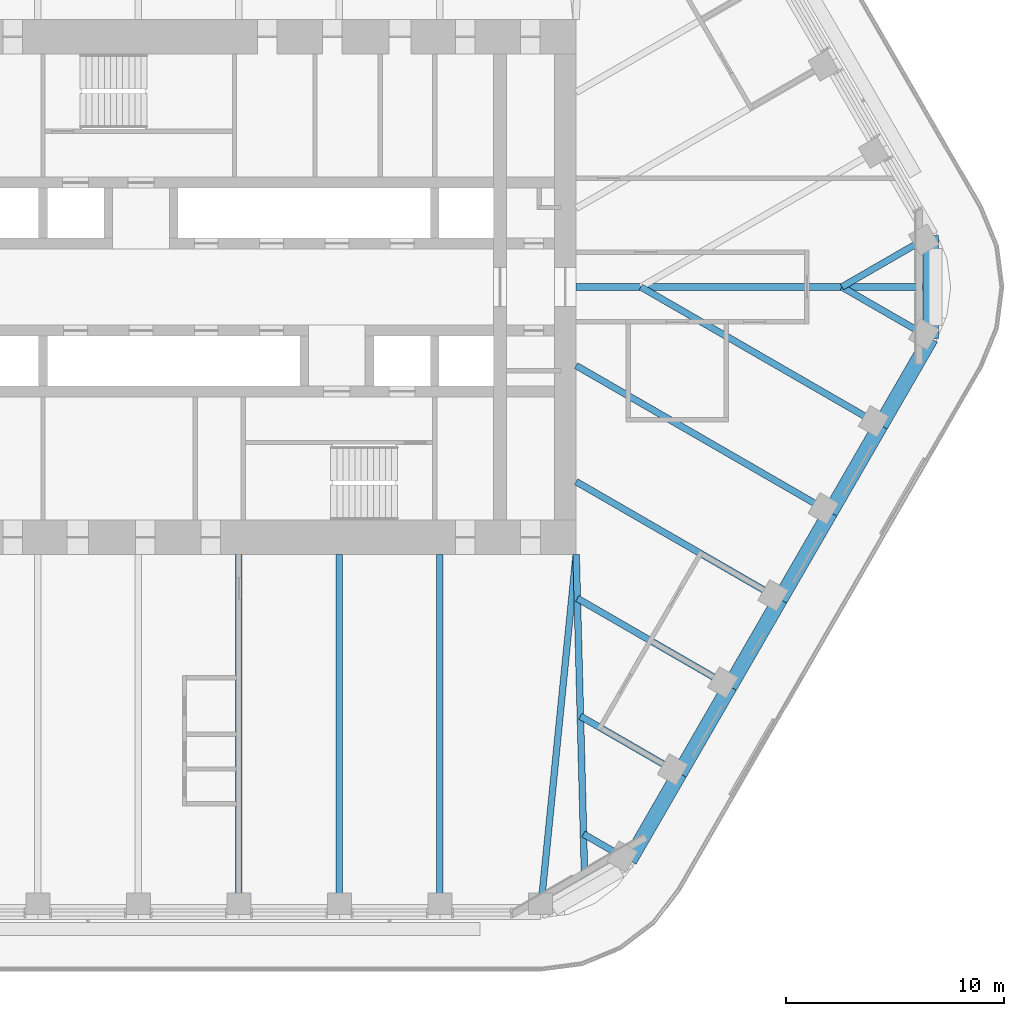
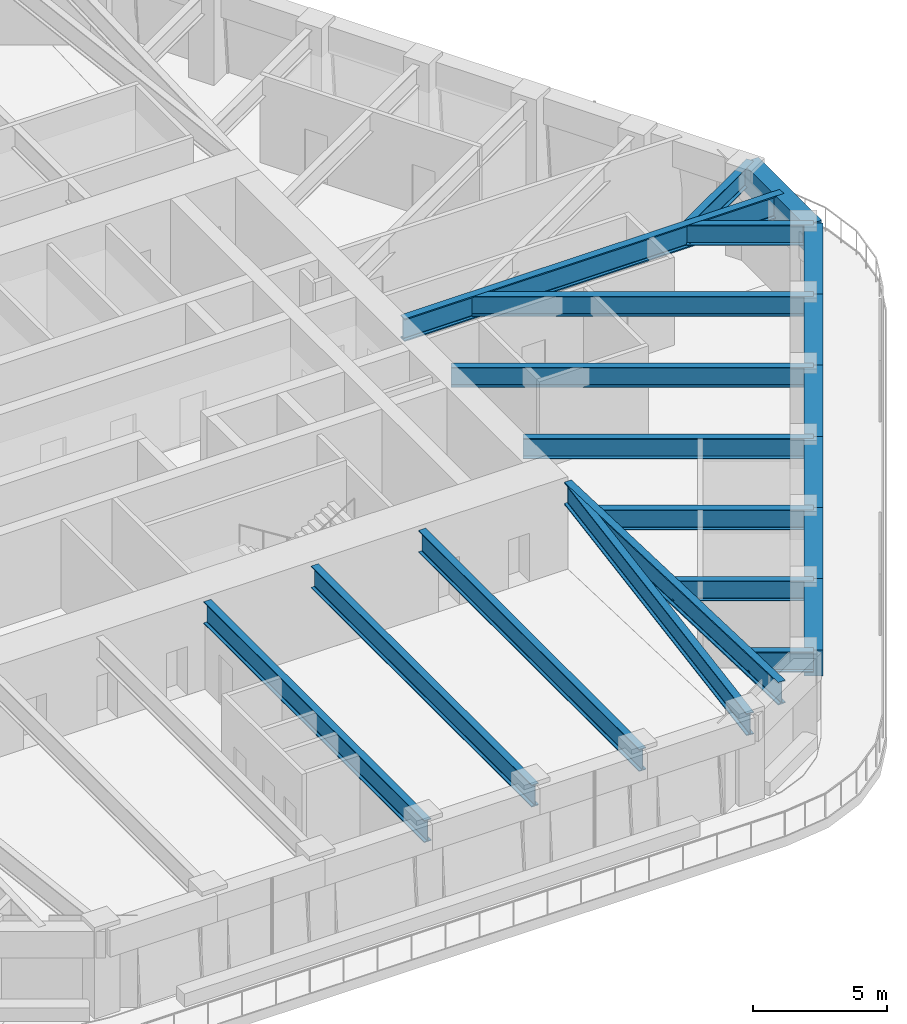
# One storey, part 5 of 20: 21 beams.
"""IFC4 building model written with IfcOpenShell, lengths in metres."""

from ifc_helpers import new_model, si_unit, direction, frame, origin, origin_2d, place, context, subcontext, project, spatial, rectangle, i_section, extrude, material, material_profile, profile_set, type_object, element, save


model = new_model("IFC4")

# Units and contexts
model_context = context("Model", 3, precision=1e-05, world=origin(), true_north=direction((0.0, 1.0)))
body_context = subcontext(model_context, "Body", "Model", "MODEL_VIEW")
ifc_project = project(units=[si_unit("LENGTHUNIT", "METRE"), si_unit("AREAUNIT", "SQUARE_METRE"), si_unit("VOLUMEUNIT", "CUBIC_METRE"), si_unit("PLANEANGLEUNIT", "RADIAN"), si_unit("MASSUNIT", "GRAM", prefix="KILO")], contexts=[model_context])

# Site, building, storey
site_placement = place(None, origin())
site = spatial("IfcSite", under=ifc_project, at=site_placement, CompositionType="ELEMENT")
building_placement = place(site_placement, origin())
building = spatial("IfcBuilding", under=site, at=building_placement, Name="Tarfa Lantern Tower", CompositionType="ELEMENT")
storey_placement = place(building_placement, frame((0.0, 0.0, 278.5)))
storey = spatial("IfcBuildingStorey", under=building, at=storey_placement, Name="L63", CompositionType="ELEMENT", Elevation=278.5)

# Beams
ifc_material_1 = material(Name="Concrete C80/95", Category="concrete")
ifc_material_profile_1 = material_profile(ifc_material_1, rectangle(XDim=0.699951171875, YDim=1.199951171875, at=origin_2d()), Name="RC 700x1200")
ifc_profile_set_1 = profile_set([ifc_material_profile_1], Name="Concrete C80/95")
beam_type_1 = type_object("IfcBeamType", Name="EB3 RC 700x1200", PredefinedType="SPANDREL", material=ifc_profile_set_1)
for number, where, z_axis, x_axis, name in (
    (1, (17.944091796875, -26.360107421875, 3.39990234375), (0.499987836815, 0.866032426089, 0.0), (-0.866032426089, 0.499987836815, 0.0), "Edge beam SE0"),
    (2, (20.25341796875, -22.360107421875, 3.39990234375), (0.499987836815, 0.866032426089, 0.0), (-0.866032426089, 0.499987836815, 0.0), "Edge beam SE1"),
):
    element("IfcBeam", number, at=place(storey_placement, frame(where, z_axis=z_axis, x_axis=x_axis)), inside=storey, type_object=beam_type_1, Name=name, PredefinedType="SPANDREL", context=body_context, shape_type="SweptSolid", body=[
        extrude(rectangle(XDim=0.699951171875, YDim=1.199951171875, at=origin_2d()), origin(), (0.0, 0.0, 1.0), 4.61865234375),
    ])
beam_1_placement = place(storey_placement, frame((22.562744140625, -18.360107421875, 3.39990234375), z_axis=(0.500027479704, 0.866009537788, 0.0), x_axis=(-0.866009537788, 0.500027479704, 0.0)))
element("IfcBeam", 3, at=beam_1_placement, inside=storey, type_object=beam_type_1, Name="Edge beam SE2", PredefinedType="SPANDREL", context=body_context, shape_type="SweptSolid", body=[
    extrude(rectangle(XDim=0.699951171875, YDim=1.199951171875, at=origin_2d()), origin(), (0.0, 0.0, 1.0), 4.618896484375),
])
for number, where, z_axis, x_axis, name in (
    (4, (24.872314453125, -14.360107421875, 3.39990234375), (0.499987836815, 0.866032426089, 0.0), (-0.866032426089, 0.499987836815, 0.0), "Edge beam SE3"),
    (5, (27.181640625, -10.360107421875, 3.39990234375), (0.499987836815, 0.866032426089, 0.0), (-0.866032426089, 0.499987836815, 0.0), "Edge beam SE4"),
):
    element("IfcBeam", number, at=place(storey_placement, frame(where, z_axis=z_axis, x_axis=x_axis)), inside=storey, type_object=beam_type_1, Name=name, PredefinedType="SPANDREL", context=body_context, shape_type="SweptSolid", body=[
        extrude(rectangle(XDim=0.699951171875, YDim=1.199951171875, at=origin_2d()), origin(), (0.0, 0.0, 1.0), 4.61865234375),
    ])
beam_2_placement = place(storey_placement, frame((29.490966796875, -6.360107421875, 3.39990234375), z_axis=(0.500027479704, 0.866009537788, 0.0), x_axis=(-0.866009537788, 0.500027479704, 0.0)))
element("IfcBeam", 6, at=beam_2_placement, inside=storey, type_object=beam_type_1, Name="Edge beam SE5", PredefinedType="SPANDREL", context=body_context, shape_type="SweptSolid", body=[
    extrude(rectangle(XDim=0.699951171875, YDim=1.199951171875, at=origin_2d()), origin(), (0.0, 0.0, 1.0), 4.618896484375),
])
beam_3_placement = place(storey_placement, frame((31.800537109375, -2.360107421875, 3.39990234375), z_axis=(0.0, 1.0, 0.0), x_axis=(-1.0, 0.0, 0.0)))
element("IfcBeam", 7, at=beam_3_placement, inside=storey, type_object=beam_type_1, Name="Edge beam SE6", PredefinedType="SPANDREL", context=body_context, shape_type="SweptSolid", body=[
    extrude(rectangle(XDim=0.699951171875, YDim=1.199951171875, at=origin_2d()), origin(), (0.0, 0.0, 1.0), 4.72021484375),
])
ifc_material_2 = material(Name="Steel S460M", Category="steel")
ifc_material_profile_2 = material_profile(ifc_material_2, i_section(OverallWidth=0.302001953125, OverallDepth=1.008056640625, WebThickness=0.02099609375, FlangeThickness=0.0400390625, FilletRadius=0.030029296875, at=origin_2d()), Name="UB1016x305x349")
ifc_profile_set_2 = profile_set([ifc_material_profile_2], Name="Steel S460M")
beam_type_2 = type_object("IfcBeamType", Name="UB1016x305x349", PredefinedType="BEAM", material=ifc_profile_set_2)
for number, where, z_axis, x_axis, name in (
    (8, (0.0, -28.719970703125, 3.495849609375), (0.0, 1.0, 0.0), (-1.0, 0.0, 0.0), "Floor beam S3"),
    (9, (4.618896484375, -28.719970703125, 3.495849609375), (0.0, 1.0, 0.0), (-1.0, 0.0, 0.0), "Floor beam S4"),
    (10, (9.237548828125, -28.719970703125, 3.495849609375), (0.0, 1.0, 0.0), (-1.0, 0.0, 0.0), "Floor beam S5"),
):
    element("IfcBeam", number, at=place(storey_placement, frame(where, z_axis=z_axis, x_axis=x_axis)), inside=storey, type_object=beam_type_2, Name=name, PredefinedType="BEAM", context=body_context, shape_type="SweptSolid", body=[
        extrude(i_section(OverallWidth=0.302001953125, OverallDepth=1.008056640625, WebThickness=0.02099609375, FlangeThickness=0.0400390625, FilletRadius=0.030029296875, at=origin_2d()), origin(), (0.0, 0.0, 1.0), 16.419921875),
    ])
beam_4_placement = place(storey_placement, frame((13.8564453125, -28.719970703125, 3.495849609375), z_axis=(0.099597466746, 0.995027810977, 0.0), x_axis=(-0.995027810977, 0.099597466746, 0.0)))
element("IfcBeam", 11, at=beam_4_placement, inside=storey, type_object=beam_type_2, Name="Floor beam S6", PredefinedType="BEAM", context=body_context, shape_type="SweptSolid", body=[
    extrude(i_section(OverallWidth=0.302001953125, OverallDepth=1.008056640625, WebThickness=0.02099609375, FlangeThickness=0.0400390625, FilletRadius=0.030029296875, at=origin_2d()), origin(), (0.0, 0.0, 1.0), 16.501953125),
])
ifc_material_profile_3 = material_profile(ifc_material_2, i_section(OverallWidth=0.30859375, OverallDepth=1.036376953125, WebThickness=0.030029296875, FlangeThickness=0.05419921875, FilletRadius=0.030029296875, at=origin_2d()), Name="UB1016x305x487")
ifc_profile_set_3 = profile_set([ifc_material_profile_3], Name="Steel S460M")
beam_type_3 = type_object("IfcBeamType", Name="UB1016x305x487", PredefinedType="BEAM", material=ifc_profile_set_3)
beam_5_placement = place(storey_placement, frame((15.5, 0.0, 3.48193359375), z_axis=(1.0, 0.0, 0.0), x_axis=(0.0, 1.0, 0.0)))
element("IfcBeam", 12, at=beam_5_placement, inside=storey, type_object=beam_type_3, Name="Hip girder E", PredefinedType="BEAM", context=body_context, shape_type="SweptSolid", body=[
    extrude(i_section(OverallWidth=0.30859375, OverallDepth=1.036376953125, WebThickness=0.030029296875, FlangeThickness=0.05419921875, FilletRadius=0.030029296875, at=origin_2d()), origin(), (0.0, 0.0, 1.0), 16.300537109375),
])
beam_6_placement = place(storey_placement, frame((15.5, -12.300048828125, 3.48193359375), z_axis=(0.026247301989, -0.999655480222, 0.0), x_axis=(0.999655480222, 0.026247301989, 0.0)))
element("IfcBeam", 13, at=beam_6_placement, inside=storey, type_object=beam_type_3, Name="Hip girder SE", PredefinedType="BEAM", context=body_context, shape_type="SweptSolid", body=[
    extrude(i_section(OverallWidth=0.30859375, OverallDepth=1.036376953125, WebThickness=0.030029296875, FlangeThickness=0.05419921875, FilletRadius=0.030029296875, at=origin_2d()), origin(), (0.0, 0.0, 1.0), 15.245361328125),
])
ifc_material_profile_4 = material_profile(ifc_material_2, i_section(OverallWidth=0.305419921875, OverallDepth=0.91845703125, WebThickness=0.017333984375, FlangeThickness=0.02783203125, FilletRadius=0.01904296875, at=origin_2d()), Name="UB914x305x253")
ifc_profile_set_4 = profile_set([ifc_material_profile_4], Name="Steel S460M")
beam_type_4 = type_object("IfcBeamType", Name="UB914x305x253", PredefinedType="BEAM", material=ifc_profile_set_4)
beam_7_placement = place(storey_placement, frame((31.800537109375, 2.360107421875, 3.540771484375), z_axis=(-0.866015897305, -0.500016465344, 0.0), x_axis=(0.500016465344, -0.866015897305, 0.0)))
element("IfcBeam", 14, at=beam_7_placement, inside=storey, type_object=beam_type_4, Name="Floor beam NE0", PredefinedType="BEAM", context=body_context, shape_type="SweptSolid", body=[
    extrude(i_section(OverallWidth=0.305419921875, OverallDepth=0.91845703125, WebThickness=0.017333984375, FlangeThickness=0.02783203125, FilletRadius=0.01904296875, at=origin_2d()), origin(), (0.0, 0.0, 1.0), 4.719970703125),
])
beam_8_placement = place(storey_placement, frame((17.944091796875, -26.360107421875, 3.540771484375), z_axis=(-0.865980009423, 0.5000786171, 0.0), x_axis=(-0.5000786171, -0.865980009423, 0.0)))
element("IfcBeam", 15, at=beam_8_placement, inside=storey, type_object=beam_type_4, Name="Floor beam SE0", PredefinedType="BEAM", context=body_context, shape_type="SweptSolid", body=[
    extrude(i_section(OverallWidth=0.305419921875, OverallDepth=0.91845703125, WebThickness=0.017333984375, FlangeThickness=0.02783203125, FilletRadius=0.01904296875, at=origin_2d()), origin(), (0.0, 0.0, 1.0), 2.4326171875),
])
beam_9_placement = place(storey_placement, frame((20.25341796875, -22.360107421875, 3.540771484375), z_axis=(-0.86601951648, 0.500010196972, 0.0), x_axis=(-0.500010196972, -0.86601951648, 0.0)))
element("IfcBeam", 16, at=beam_9_placement, inside=storey, type_object=beam_type_4, Name="Floor beam SE1", PredefinedType="BEAM", context=body_context, shape_type="SweptSolid", body=[
    extrude(i_section(OverallWidth=0.305419921875, OverallDepth=0.91845703125, WebThickness=0.017333984375, FlangeThickness=0.02783203125, FilletRadius=0.01904296875, at=origin_2d()), origin(), (0.0, 0.0, 1.0), 5.263671875),
])
beam_10_placement = place(storey_placement, frame((22.562744140625, -18.360107421875, 3.540771484375), z_axis=(-0.866010787764, 0.500025314835, 0.0), x_axis=(-0.500025314835, -0.866010787764, 0.0)))
element("IfcBeam", 17, at=beam_10_placement, inside=storey, type_object=beam_type_4, Name="Floor beam SE2", PredefinedType="BEAM", context=body_context, shape_type="SweptSolid", body=[
    extrude(i_section(OverallWidth=0.305419921875, OverallDepth=0.91845703125, WebThickness=0.017333984375, FlangeThickness=0.02783203125, FilletRadius=0.01904296875, at=origin_2d()), origin(), (0.0, 0.0, 1.0), 8.09423828125),
])
beam_11_placement = place(storey_placement, frame((24.872314453125, -14.360107421875, 3.540771484375), z_axis=(-0.8660244219, 0.500001700669, 0.0), x_axis=(-0.500001700669, -0.8660244219, 0.0)))
element("IfcBeam", 18, at=beam_11_placement, inside=storey, type_object=beam_type_4, Name="Floor beam SE3", PredefinedType="BEAM", context=body_context, shape_type="SweptSolid", body=[
    extrude(i_section(OverallWidth=0.305419921875, OverallDepth=0.91845703125, WebThickness=0.017333984375, FlangeThickness=0.02783203125, FilletRadius=0.01904296875, at=origin_2d()), origin(), (0.0, 0.0, 1.0), 10.822265625),
])
beam_12_placement = place(storey_placement, frame((27.181640625, -10.360107421875, 3.540771484375), z_axis=(-0.866018002818, 0.500012818631, 0.0), x_axis=(-0.500012818631, -0.866018002818, 0.0)))
element("IfcBeam", 19, at=beam_12_placement, inside=storey, type_object=beam_type_4, Name="Floor beam SE4", PredefinedType="BEAM", context=body_context, shape_type="SweptSolid", body=[
    extrude(i_section(OverallWidth=0.305419921875, OverallDepth=0.91845703125, WebThickness=0.017333984375, FlangeThickness=0.02783203125, FilletRadius=0.01904296875, at=origin_2d()), origin(), (0.0, 0.0, 1.0), 13.489013671875),
])
beam_13_placement = place(storey_placement, frame((29.490966796875, -6.360107421875, 3.540771484375), z_axis=(-0.866022258038, 0.500005448553, 0.0), x_axis=(-0.500005448553, -0.866022258038, 0.0)))
element("IfcBeam", 20, at=beam_13_placement, inside=storey, type_object=beam_type_4, Name="Floor beam SE5", PredefinedType="BEAM", context=body_context, shape_type="SweptSolid", body=[
    extrude(i_section(OverallWidth=0.305419921875, OverallDepth=0.91845703125, WebThickness=0.017333984375, FlangeThickness=0.02783203125, FilletRadius=0.01904296875, at=origin_2d()), origin(), (0.0, 0.0, 1.0), 12.719970703125),
])
beam_14_placement = place(storey_placement, frame((31.800537109375, -2.360107421875, 3.540771484375), z_axis=(-0.866015897305, 0.500016465344, 0.0), x_axis=(-0.500016465344, -0.866015897305, 0.0)))
element("IfcBeam", 21, at=beam_14_placement, inside=storey, type_object=beam_type_4, Name="Floor beam SE6", PredefinedType="BEAM", context=body_context, shape_type="SweptSolid", body=[
    extrude(i_section(OverallWidth=0.305419921875, OverallDepth=0.91845703125, WebThickness=0.017333984375, FlangeThickness=0.02783203125, FilletRadius=0.01904296875, at=origin_2d()), origin(), (0.0, 0.0, 1.0), 4.719970703125),
])

save(model, "model.ifc")
